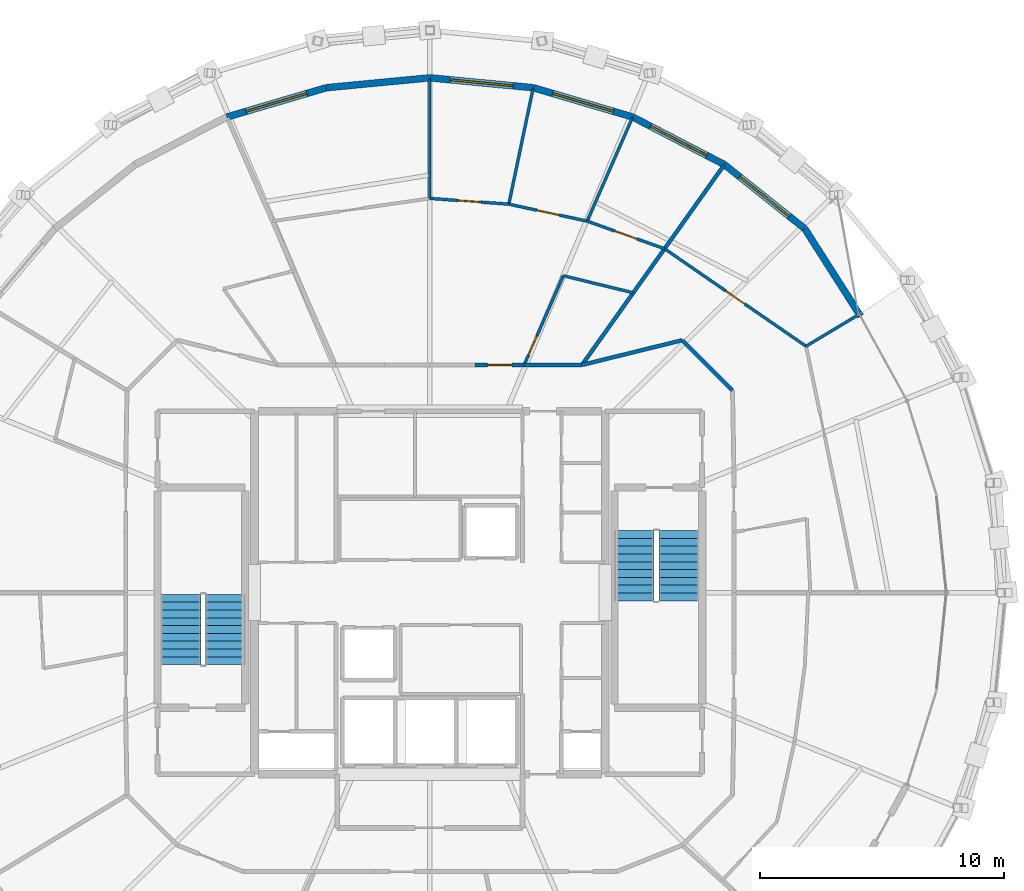
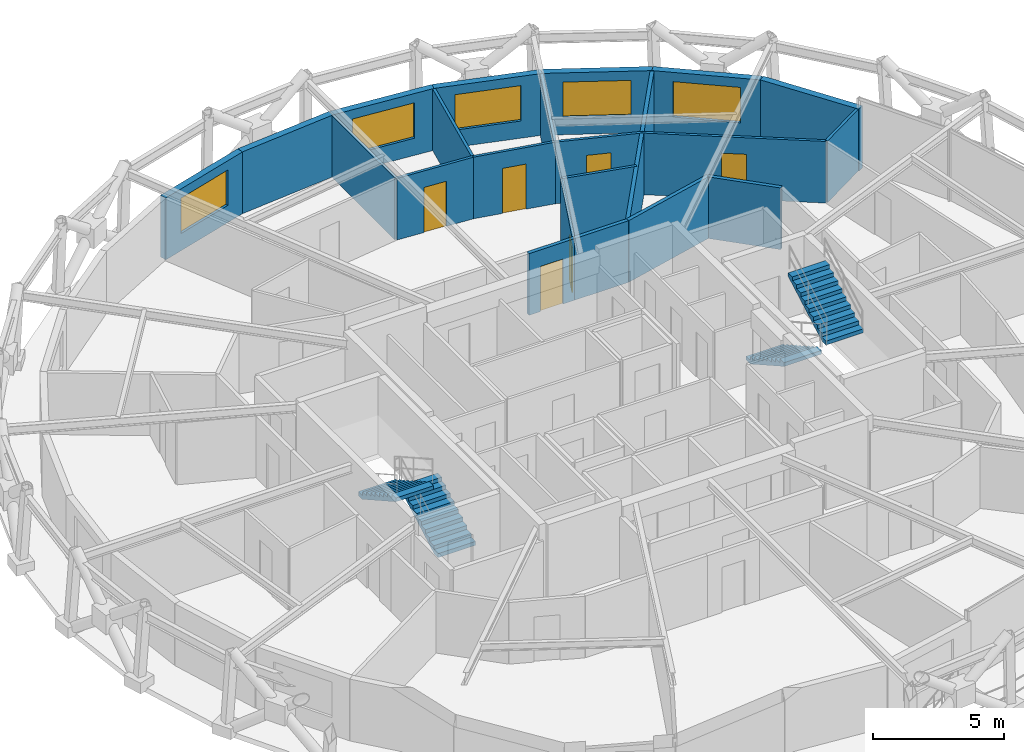
# One storey, part 15 of 16: 22 walls, 6 doors, 5 windows, 4 stair flights, 11 openings, 2 elements without a shape of their own.
"""IFC4 building model written with IfcOpenShell, lengths in metres."""

from ifc_helpers import new_model, si_unit, direction, frame, frame_2d, origin, place, context, subcontext, project, spatial, polyline, rectangle, outline, extrude, material, layer, layer_set, type_object, element, fill, aggregate, save


model = new_model("IFC4")

# Units and contexts
model_context = context("Model", 3, precision=1e-05, world=origin(), true_north=direction((0.0, 1.0)))
body_context = subcontext(model_context, "Body", "Model", "MODEL_VIEW")
ifc_project = project(units=[si_unit("LENGTHUNIT", "METRE"), si_unit("AREAUNIT", "SQUARE_METRE"), si_unit("VOLUMEUNIT", "CUBIC_METRE"), si_unit("PLANEANGLEUNIT", "RADIAN"), si_unit("MASSUNIT", "GRAM", prefix="KILO")], contexts=[model_context])

# Site, building, storey
site_placement = place(None, origin())
site = spatial("IfcSite", under=ifc_project, at=site_placement, CompositionType="ELEMENT")
building_placement = place(site_placement, origin())
building = spatial("IfcBuilding", under=site, at=building_placement, Name="Veldorina Hangang Commons", CompositionType="ELEMENT")
storey_placement = place(building_placement, frame((0.0, 0.0, 240.0)))
storey = spatial("IfcBuildingStorey", under=building, at=storey_placement, Name="L62", CompositionType="ELEMENT", Elevation=240.0)

# Wall
ifc_material_1 = material(Name="Stone Roman Travertine", Category="masonry")
ifc_layer_1 = layer(ifc_material_1, 0.280029296875)
ifc_layer_set_1 = layer_set([ifc_layer_1], Name="Stone Roman Travertine")
wall_type_1 = type_object("IfcWallType", Name="EW-TRAV-280", PredefinedType="STANDARD", material=ifc_layer_set_1)
wall_1_placement = place(storey_placement, frame((49.68115234375, 35.3525390625, 0.0), z_axis=(0.0, 0.0, 1.0), x_axis=(-0.537776362765, 0.843087530243, 0.0)))
element("IfcWall", 1, at=wall_1_placement, inside=storey, type_object=wall_type_1, Name="L62 travertine facade wall 03", PredefinedType="STANDARD", context=body_context, shape_type="SweptSolid", body=[
    extrude(rectangle(XDim=4.259765625, YDim=0.280029296875, at=frame_2d((2.1298828125, 0.0))), origin(), (0.0, 0.0, 1.0), 2.8798828125),
])

# Wall, opening, window
wall_2_placement = place(storey_placement, frame((47.390380859375, 38.94384765625, 0.0), z_axis=(0.0, 0.0, 1.0), x_axis=(-0.782030895384, 0.623239663906, 0.0)))
wall_2 = element("IfcWall", 2, at=wall_2_placement, inside=storey, type_object=wall_type_1, Name="L62 travertine facade wall 04", PredefinedType="STANDARD", context=body_context, shape_type="SweptSolid", body=[
    extrude(rectangle(XDim=4.21728515625, YDim=0.280029296875, at=frame_2d((2.108642578125, 0.0))), origin(), (0.0, 0.0, 1.0), 2.8798828125),
])
opening_1_placement = place(wall_2_placement, frame((0.80859375, 0.0, 0.800048828125)))
opening_1 = element("IfcOpeningElement", 3, at=opening_1_placement, cuts=wall_2, Name="Opening W-02", PredefinedType="OPENING", context=body_context, shape_type="SweptSolid", body=[
    extrude(rectangle(XDim=2.60009765625, YDim=1.64990234375, at=frame_2d((1.300048828125, 0.824951171875))), frame((0.0, 0.14990234375, 0.0), z_axis=(0.0, -1.0, 0.0), x_axis=(1.0, 0.0, 0.0)), (0.0, 0.0, 1.0), 0.300048828125),
])
ifc_material_2 = material(Name="Glass Low-E Triple IGU", Category="glass")
window_type = type_object("IfcWindowType", Name="WIN-TWR-2600", PartitioningType="SINGLE_PANEL", PredefinedType="WINDOW", material=ifc_material_2)
window_1_placement = place(opening_1_placement, origin())
window_1 = element("IfcWindow", 4, at=window_1_placement, inside=storey, type_object=window_type, Name="L62 facade window 04", OverallHeight=1.64990234375, OverallWidth=2.60009765625, PartitioningType="SINGLE_PANEL", PredefinedType="WINDOW", context=body_context, shape_type="SweptSolid", body=[
    extrude(rectangle(XDim=2.60009765625, YDim=1.64990234375, at=frame_2d((1.300048828125, 0.824951171875))), frame((0.0, 0.030029296875, 0.0), z_axis=(0.0, -1.0, 0.0), x_axis=(1.0, 0.0, 0.0)), (0.0, 0.0, 1.0), 0.06005859375),
])
fill(opening_1, window_1)

wall_3_placement = place(storey_placement, frame((44.09228515625, 41.572265625, 0.0), z_axis=(0.0, 0.0, 1.0), x_axis=(-0.887588000353, 0.460638189504, 0.0)))
wall_3 = element("IfcWall", 5, at=wall_3_placement, inside=storey, type_object=wall_type_1, Name="L62 travertine facade wall 05", PredefinedType="STANDARD", context=body_context, shape_type="SweptSolid", body=[
    extrude(rectangle(XDim=4.239501953125, YDim=0.280029296875, at=frame_2d((2.11962890625, 0.0))), origin(), (0.0, 0.0, 1.0), 2.8798828125),
])
opening_2_placement = place(wall_3_placement, frame((0.81982421875, 0.0, 0.800048828125)))
opening_2 = element("IfcOpeningElement", 6, at=opening_2_placement, cuts=wall_3, Name="Opening W-02", PredefinedType="OPENING", context=body_context, shape_type="SweptSolid", body=[
    extrude(rectangle(XDim=2.60009765625, YDim=1.64990234375, at=frame_2d((1.300048828125, 0.824951171875))), frame((0.0, 0.14990234375, 0.0), z_axis=(0.0, -1.0, 0.0), x_axis=(1.0, 0.0, 0.0)), (0.0, 0.0, 1.0), 0.300048828125),
])
window_2_placement = place(opening_2_placement, origin())
window_2 = element("IfcWindow", 7, at=window_2_placement, inside=storey, type_object=window_type, Name="L62 facade window 05", OverallHeight=1.64990234375, OverallWidth=2.60009765625, PartitioningType="SINGLE_PANEL", PredefinedType="WINDOW", context=body_context, shape_type="SweptSolid", body=[
    extrude(rectangle(XDim=2.60009765625, YDim=1.64990234375, at=frame_2d((1.300048828125, 0.824951171875))), frame((0.0, 0.030029296875, 0.0), z_axis=(0.0, -1.0, 0.0), x_axis=(1.0, 0.0, 0.0)), (0.0, 0.0, 1.0), 0.06005859375),
])
fill(opening_2, window_2)

wall_4_placement = place(storey_placement, frame((40.329345703125, 43.525146484375, 0.0), z_axis=(0.0, 0.0, 1.0), x_axis=(-0.95925857755, 0.28252961154, 0.0)))
wall_4 = element("IfcWall", 8, at=wall_4_placement, inside=storey, type_object=wall_type_1, Name="L62 travertine facade wall 06", PredefinedType="STANDARD", context=body_context, shape_type="SweptSolid", body=[
    extrude(rectangle(XDim=4.256591796875, YDim=0.280029296875, at=frame_2d((2.12841796875, 0.0))), origin(), (0.0, 0.0, 1.0), 2.8798828125),
])
opening_3_placement = place(wall_4_placement, frame((0.828369140625, 0.0, 0.800048828125)))
opening_3 = element("IfcOpeningElement", 9, at=opening_3_placement, cuts=wall_4, Name="Opening W-02", PredefinedType="OPENING", context=body_context, shape_type="SweptSolid", body=[
    extrude(rectangle(XDim=2.60009765625, YDim=1.64990234375, at=frame_2d((1.300048828125, 0.824951171875))), frame((0.0, 0.14990234375, 0.0), z_axis=(0.0, -1.0, 0.0), x_axis=(1.0, 0.0, 0.0)), (0.0, 0.0, 1.0), 0.300048828125),
])
window_3_placement = place(opening_3_placement, origin())
window_3 = element("IfcWindow", 10, at=window_3_placement, inside=storey, type_object=window_type, Name="L62 facade window 06", OverallHeight=1.64990234375, OverallWidth=2.60009765625, PartitioningType="SINGLE_PANEL", PredefinedType="WINDOW", context=body_context, shape_type="SweptSolid", body=[
    extrude(rectangle(XDim=2.60009765625, YDim=1.64990234375, at=frame_2d((1.300048828125, 0.824951171875))), frame((0.0, 0.030029296875, 0.0), z_axis=(0.0, -1.0, 0.0), x_axis=(1.0, 0.0, 0.0)), (0.0, 0.0, 1.0), 0.06005859375),
])
fill(opening_3, window_3)

wall_5_placement = place(storey_placement, frame((36.24609375, 44.727783203125, 0.0), z_axis=(0.0, 0.0, 1.0), x_axis=(-0.995459644973, 0.09518453252, 0.0)))
wall_5 = element("IfcWall", 11, at=wall_5_placement, inside=storey, type_object=wall_type_1, Name="L62 travertine facade wall 07", PredefinedType="STANDARD", context=body_context, shape_type="SweptSolid", body=[
    extrude(rectangle(XDim=4.265380859375, YDim=0.280029296875, at=frame_2d((2.1328125, 0.0))), origin(), (0.0, 0.0, 1.0), 2.8798828125),
])
opening_4_placement = place(wall_5_placement, frame((0.832763671875, 0.0, 0.800048828125)))
opening_4 = element("IfcOpeningElement", 12, at=opening_4_placement, cuts=wall_5, Name="Opening W-02", PredefinedType="OPENING", context=body_context, shape_type="SweptSolid", body=[
    extrude(rectangle(XDim=2.60009765625, YDim=1.64990234375, at=frame_2d((1.300048828125, 0.824951171875))), frame((0.0, 0.14990234375, 0.0), z_axis=(0.0, -1.0, 0.0), x_axis=(1.0, 0.0, 0.0)), (0.0, 0.0, 1.0), 0.300048828125),
])
window_4_placement = place(opening_4_placement, origin())
window_4 = element("IfcWindow", 13, at=window_4_placement, inside=storey, type_object=window_type, Name="L62 facade window 07", OverallHeight=1.64990234375, OverallWidth=2.60009765625, PartitioningType="SINGLE_PANEL", PredefinedType="WINDOW", context=body_context, shape_type="SweptSolid", body=[
    extrude(rectangle(XDim=2.60009765625, YDim=1.64990234375, at=frame_2d((1.300048828125, 0.824951171875))), frame((0.0, 0.030029296875, 0.0), z_axis=(0.0, -1.0, 0.0), x_axis=(1.0, 0.0, 0.0)), (0.0, 0.0, 1.0), 0.06005859375),
])
fill(opening_4, window_4)

# Wall
wall_6_placement = place(storey_placement, frame((32.0, 45.1337890625, 0.0), z_axis=(0.0, 0.0, 1.0), x_axis=(-0.995459644973, -0.09518453252, 0.0)))
element("IfcWall", 14, at=wall_6_placement, inside=storey, type_object=wall_type_1, Name="L62 travertine facade wall 08", PredefinedType="STANDARD", context=body_context, shape_type="SweptSolid", body=[
    extrude(rectangle(XDim=4.265380859375, YDim=0.280029296875, at=frame_2d((2.1328125, 0.0))), origin(), (0.0, 0.0, 1.0), 2.8798828125),
])

# Wall, opening, window
wall_7_placement = place(storey_placement, frame((27.75390625, 44.727783203125, 0.0), z_axis=(0.0, 0.0, 1.0), x_axis=(-0.95925857755, -0.28252961154, 0.0)))
wall_7 = element("IfcWall", 15, at=wall_7_placement, inside=storey, type_object=wall_type_1, Name="L62 travertine facade wall 09", PredefinedType="STANDARD", context=body_context, shape_type="SweptSolid", body=[
    extrude(rectangle(XDim=4.256591796875, YDim=0.280029296875, at=frame_2d((2.12841796875, 0.0))), origin(), (0.0, 0.0, 1.0), 2.8798828125),
])
opening_5_placement = place(wall_7_placement, frame((0.828369140625, 0.0, 0.800048828125)))
opening_5 = element("IfcOpeningElement", 16, at=opening_5_placement, cuts=wall_7, Name="Opening W-02", PredefinedType="OPENING", context=body_context, shape_type="SweptSolid", body=[
    extrude(rectangle(XDim=2.60009765625, YDim=1.64990234375, at=frame_2d((1.300048828125, 0.824951171875))), frame((0.0, 0.14990234375, 0.0), z_axis=(0.0, -1.0, 0.0), x_axis=(1.0, 0.0, 0.0)), (0.0, 0.0, 1.0), 0.300048828125),
])
window_5_placement = place(opening_5_placement, origin())
window_5 = element("IfcWindow", 17, at=window_5_placement, inside=storey, type_object=window_type, Name="L62 facade window 09", OverallHeight=1.64990234375, OverallWidth=2.60009765625, PartitioningType="SINGLE_PANEL", PredefinedType="WINDOW", context=body_context, shape_type="SweptSolid", body=[
    extrude(rectangle(XDim=2.60009765625, YDim=1.64990234375, at=frame_2d((1.300048828125, 0.824951171875))), frame((0.0, 0.030029296875, 0.0), z_axis=(0.0, -1.0, 0.0), x_axis=(1.0, 0.0, 0.0)), (0.0, 0.0, 1.0), 0.06005859375),
])
fill(opening_5, window_5)

# Walls
ifc_material_3 = material(Name="Gypsum Fire-Rated Twin Stud Wall", Category="gypsum")
ifc_layer_2 = layer(ifc_material_3, 0.159912109375)
ifc_layer_set_2 = layer_set([ifc_layer_2], Name="Gypsum Fire-Rated Twin Stud Wall")
wall_type_2 = type_object("IfcWallType", Name="WL-FIRE-160", PredefinedType="SOLIDWALL", material=ifc_layer_set_2)
wall_8_placement = place(storey_placement, frame((44.4267578125, 32.30322265625, 0.0), z_axis=(0.0, 0.0, 1.0), x_axis=(-0.707106781187, 0.707106781187, 0.0)))
element("IfcWall", 18, at=wall_8_placement, inside=storey, type_object=wall_type_2, Name="L62 Compact collar outer wall 03 059", PredefinedType="SOLIDWALL", context=body_context, shape_type="SweptSolid", body=[
    extrude(rectangle(XDim=2.915771484375, YDim=0.159912109375, at=frame_2d((1.4580078125, 0.0))), origin(), (0.0, 0.0, 1.0), 2.8701171875),
])
wall_9_placement = place(storey_placement, frame((42.364990234375, 34.364990234375, 0.0), z_axis=(0.0, 0.0, 1.0), x_axis=(-0.970939799552, -0.239323850978, 0.0)))
element("IfcWall", 19, at=wall_9_placement, inside=storey, type_object=wall_type_2, Name="L62 Compact collar outer wall 04 060", PredefinedType="SOLIDWALL", context=body_context, shape_type="SweptSolid", body=[
    extrude(rectangle(XDim=4.24072265625, YDim=0.159912109375, at=frame_2d((2.120361328125, 0.0))), origin(), (0.0, 0.0, 1.0), 2.8701171875),
])
wall_10_placement = place(storey_placement, frame((38.24755859375, 33.35009765625, 0.0), z_axis=(0.0, 0.0, 1.0), x_axis=(-1.0, 0.0, 0.0)))
element("IfcWall", 20, at=wall_10_placement, inside=storey, type_object=wall_type_2, Name="L62 Compact collar outer wall 05 061", PredefinedType="SOLIDWALL", context=body_context, shape_type="SweptSolid", body=[
    extrude(rectangle(XDim=2.374755859375, YDim=0.159912109375, at=frame_2d((1.1875, 0.0))), origin(), (0.0, 0.0, 1.0), 2.8701171875),
])

# Wall, opening, door
wall_11_placement = place(storey_placement, frame((35.872802734375, 33.35009765625, 0.0), z_axis=(0.0, 0.0, 1.0), x_axis=(-1.0, 0.0, 0.0)))
wall_11 = element("IfcWall", 21, at=wall_11_placement, inside=storey, type_object=wall_type_2, Name="L62 Compact collar outer wall 06 062", PredefinedType="SOLIDWALL", context=body_context, shape_type="SweptSolid", body=[
    extrude(rectangle(XDim=2.012939453125, YDim=0.159912109375, at=frame_2d((1.00634765625, 0.0))), origin(), (0.0, 0.0, 1.0), 2.8701171875),
])
opening_6_placement = place(wall_11_placement, frame((0.506591796875, 0.0, 0.0)))
opening_6 = element("IfcOpeningElement", 22, at=opening_6_placement, cuts=wall_11, Name="Opening D-06", PredefinedType="OPENING", context=body_context, shape_type="SweptSolid", body=[
    extrude(rectangle(XDim=1.0, YDim=2.10009765625, at=frame_2d((0.5, 1.050048828125))), frame((0.0, 0.08984375, 0.0), z_axis=(0.0, -1.0, 0.0), x_axis=(1.0, 0.0, 0.0)), (0.0, 0.0, 1.0), 0.179931640625),
])
ifc_material_4 = material(Name="Timber Fire-Rated Entrance Core", Category="wood")
door_type_1 = type_object("IfcDoorType", Name="DR-UNIT-1000", OperationType="SINGLE_SWING_LEFT", PredefinedType="DOOR", material=ifc_material_4)
door_1_placement = place(opening_6_placement, origin())
door_1 = element("IfcDoor", 23, at=door_1_placement, inside=storey, type_object=door_type_1, Name="L62 Cluster 3 entrance door 033", OperationType="SINGLE_SWING_LEFT", OverallHeight=2.10009765625, OverallWidth=1.0, PredefinedType="DOOR", context=body_context, shape_type="SweptSolid", body=[
    extrude(rectangle(XDim=1.0, YDim=2.10009765625, at=frame_2d((0.5, 1.050048828125))), frame((0.0, 0.02490234375, 0.0), z_axis=(0.0, -1.0, 0.0), x_axis=(1.0, 0.0, 0.0)), (0.0, 0.0, 1.0), 0.050048828125),
])
fill(opening_6, door_1)

# Wall
wall_12_placement = place(storey_placement, frame((38.24755859375, 33.35009765625, 0.0), z_axis=(0.0, 0.0, 1.0), x_axis=(0.579377676694, 0.815059205058, 0.0)))
element("IfcWall", 24, at=wall_12_placement, inside=storey, type_object=wall_type_2, Name="L62 Unit party wall 05 099", PredefinedType="SOLIDWALL", context=body_context, shape_type="SweptSolid", body=[
    extrude(rectangle(XDim=10.037841796875, YDim=0.159912109375, at=frame_2d((5.01904296875, 0.0))), origin(), (0.0, 0.0, 1.0), 2.8701171875),
])

# Wall, opening, door
ifc_material_5 = material(Name="Gypsum Acoustic Stud Partition", Category="gypsum")
ifc_layer_3 = layer(ifc_material_5, 0.1201171875)
ifc_layer_set_3 = layer_set([ifc_layer_3], Name="Gypsum Acoustic Stud Partition")
wall_type_3 = type_object("IfcWallType", Name="WL-PART-120", PredefinedType="PARTITIONING", material=ifc_layer_set_3)
wall_13_placement = place(storey_placement, frame((47.445556640625, 34.116943359375, 0.0), z_axis=(0.0, 0.0, 1.0), x_axis=(-0.823453694919, 0.567383479072, 0.0)))
wall_13 = element("IfcWall", 25, at=wall_13_placement, inside=storey, type_object=wall_type_3, Name="L62 Cluster 2 bed 2 front wall 097", PredefinedType="PARTITIONING", context=body_context, shape_type="SweptSolid", body=[
    extrude(rectangle(XDim=7.053466796875, YDim=0.1201171875, at=frame_2d((3.52685546875, 0.0))), origin(), (0.0, 0.0, 1.0), 2.8701171875),
])
opening_7_placement = place(wall_13_placement, frame((3.0517578125, 0.0, 0.0)))
opening_7 = element("IfcOpeningElement", 26, at=opening_7_placement, cuts=wall_13, Name="Opening D-02", PredefinedType="OPENING", context=body_context, shape_type="SweptSolid", body=[
    extrude(rectangle(XDim=0.949951171875, YDim=2.10009765625, at=frame_2d((0.47509765625, 1.050048828125))), frame((0.0, 0.070068359375, 0.0), z_axis=(0.0, -1.0, 0.0), x_axis=(1.0, 0.0, 0.0)), (0.0, 0.0, 1.0), 0.14013671875),
])
ifc_material_6 = material(Name="Timber Solid Core Acoustic", Category="wood")
door_type_2 = type_object("IfcDoorType", Name="DR-INT-950", OperationType="SINGLE_SWING_LEFT", PredefinedType="DOOR", material=ifc_material_6)
door_2_placement = place(opening_7_placement, origin())
door_2 = element("IfcDoor", 27, at=door_2_placement, inside=storey, type_object=door_type_2, Name="L62 Cluster 2 bed 2 door 031", OperationType="SINGLE_SWING_LEFT", OverallHeight=2.10009765625, OverallWidth=0.949951171875, PredefinedType="DOOR", context=body_context, shape_type="SweptSolid", body=[
    extrude(rectangle(XDim=0.949951171875, YDim=2.10009765625, at=frame_2d((0.47509765625, 1.050048828125))), frame((0.0, 0.02490234375, 0.0), z_axis=(0.0, -1.0, 0.0), x_axis=(1.0, 0.0, 0.0)), (0.0, 0.0, 1.0), 0.050048828125),
])
fill(opening_7, door_2)

# Walls
wall_14_placement = place(storey_placement, frame((47.445556640625, 34.116943359375, 0.0), z_axis=(0.0, 0.0, 1.0), x_axis=(0.85718258358, 0.515012639075, 0.0)))
element("IfcWall", 28, at=wall_14_placement, inside=storey, type_object=wall_type_3, Name="L62 Cluster 2 bed divider 1 098", PredefinedType="PARTITIONING", context=body_context, shape_type="SweptSolid", body=[
    extrude(rectangle(XDim=2.500244140625, YDim=0.1201171875, at=frame_2d((1.25, 0.0))), origin(), (0.0, 0.0, 1.0), 2.8701171875),
])
wall_15_placement = place(storey_placement, frame((40.3515625, 36.31005859375, 0.0), z_axis=(0.0, 0.0, 1.0), x_axis=(-0.971357969052, 0.237620908084, 0.0)))
element("IfcWall", 29, at=wall_15_placement, inside=storey, type_object=wall_type_3, Name="L62 Cluster 3 bath front wall 100", PredefinedType="PARTITIONING", context=body_context, shape_type="SweptSolid", body=[
    extrude(rectangle(XDim=2.958984375, YDim=0.1201171875, at=frame_2d((1.4794921875, 0.0))), origin(), (0.0, 0.0, 1.0), 2.8701171875),
])

# Wall, opening, door
wall_16_placement = place(storey_placement, frame((35.872802734375, 33.35009765625, 0.0), z_axis=(0.0, 0.0, 1.0), x_axis=(0.401215916975, 0.915983508566, 0.0)))
wall_16 = element("IfcWall", 30, at=wall_16_placement, inside=storey, type_object=wall_type_3, Name="L62 Cluster 3 bath side wall 101", PredefinedType="PARTITIONING", context=body_context, shape_type="SweptSolid", body=[
    extrude(rectangle(XDim=3.9990234375, YDim=0.1201171875, at=frame_2d((1.99951171875, 0.0))), origin(), (0.0, 0.0, 1.0), 2.8701171875),
])
opening_8_placement = place(wall_16_placement, frame((0.43994140625, 0.0, 0.0)))
opening_8 = element("IfcOpeningElement", 31, at=opening_8_placement, cuts=wall_16, Name="Opening D-01", PredefinedType="OPENING", context=body_context, shape_type="SweptSolid", body=[
    extrude(rectangle(XDim=0.860107421875, YDim=2.10009765625, at=frame_2d((0.43017578125, 1.050048828125))), frame((0.0, 0.070068359375, 0.0), z_axis=(0.0, -1.0, 0.0), x_axis=(1.0, 0.0, 0.0)), (0.0, 0.0, 1.0), 0.14013671875),
])
ifc_material_7 = material(Name="Timber Moisture-Resistant Core", Category="wood")
door_type_3 = type_object("IfcDoorType", Name="DR-WET-860", OperationType="SINGLE_SWING_LEFT", PredefinedType="DOOR", material=ifc_material_7)
door_3_placement = place(opening_8_placement, origin())
door_3 = element("IfcDoor", 32, at=door_3_placement, inside=storey, type_object=door_type_3, Name="L62 Cluster 3 shared bathroom door 032", OperationType="SINGLE_SWING_RIGHT", OverallHeight=2.10009765625, OverallWidth=0.860107421875, PredefinedType="DOOR", context=body_context, shape_type="SweptSolid", body=[
    extrude(rectangle(XDim=0.860107421875, YDim=2.10009765625, at=frame_2d((0.43017578125, 1.050048828125))), frame((0.0, 0.02490234375, 0.0), z_axis=(0.0, -1.0, 0.0), x_axis=(1.0, 0.0, 0.0)), (0.0, 0.0, 1.0), 0.050048828125),
])
fill(opening_8, door_3)

wall_17_placement = place(storey_placement, frame((41.637451171875, 38.118896484375, 0.0), z_axis=(0.0, 0.0, 1.0), x_axis=(-0.942011593526, 0.335580329671, 0.0)))
wall_17 = element("IfcWall", 33, at=wall_17_placement, inside=storey, type_object=wall_type_3, Name="L62 Cluster 3 bed 1 front wall 102", PredefinedType="PARTITIONING", context=body_context, shape_type="SweptSolid", body=[
    extrude(rectangle(XDim=3.375732421875, YDim=0.1201171875, at=frame_2d((1.68798828125, 0.0))), origin(), (0.0, 0.0, 1.0), 2.8701171875),
])
opening_9_placement = place(wall_17_placement, frame((1.212890625, 0.0, 0.0)))
opening_9 = element("IfcOpeningElement", 34, at=opening_9_placement, cuts=wall_17, Name="Opening D-02", PredefinedType="OPENING", context=body_context, shape_type="SweptSolid", body=[
    extrude(rectangle(XDim=0.949951171875, YDim=2.10009765625, at=frame_2d((0.47509765625, 1.050048828125))), frame((0.0, 0.070068359375, 0.0), z_axis=(0.0, -1.0, 0.0), x_axis=(1.0, 0.0, 0.0)), (0.0, 0.0, 1.0), 0.14013671875),
])
door_4_placement = place(opening_9_placement, origin())
door_4 = element("IfcDoor", 35, at=door_4_placement, inside=storey, type_object=door_type_2, Name="L62 Cluster 3 bed 1 door 034", OperationType="SINGLE_SWING_RIGHT", OverallHeight=2.10009765625, OverallWidth=0.949951171875, PredefinedType="DOOR", context=body_context, shape_type="SweptSolid", body=[
    extrude(rectangle(XDim=0.949951171875, YDim=2.10009765625, at=frame_2d((0.47509765625, 1.050048828125))), frame((0.0, 0.02490234375, 0.0), z_axis=(0.0, -1.0, 0.0), x_axis=(1.0, 0.0, 0.0)), (0.0, 0.0, 1.0), 0.050048828125),
])
fill(opening_9, door_4)

wall_18_placement = place(storey_placement, frame((38.45751953125, 39.251708984375, 0.0), z_axis=(0.0, 0.0, 1.0), x_axis=(-0.977245996874, 0.21210907947, 0.0)))
wall_18 = element("IfcWall", 36, at=wall_18_placement, inside=storey, type_object=wall_type_3, Name="L62 Cluster 3 bed 2 front wall 103", PredefinedType="PARTITIONING", context=body_context, shape_type="SweptSolid", body=[
    extrude(rectangle(XDim=3.288330078125, YDim=0.1201171875, at=frame_2d((1.64404296875, 0.0))), origin(), (0.0, 0.0, 1.0), 2.8701171875),
])
opening_10_placement = place(wall_18_placement, frame((1.169189453125, 0.0, 0.0)))
opening_10 = element("IfcOpeningElement", 37, at=opening_10_placement, cuts=wall_18, Name="Opening D-02", PredefinedType="OPENING", context=body_context, shape_type="SweptSolid", body=[
    extrude(rectangle(XDim=0.949951171875, YDim=2.10009765625, at=frame_2d((0.47509765625, 1.050048828125))), frame((0.0, 0.070068359375, 0.0), z_axis=(0.0, -1.0, 0.0), x_axis=(1.0, 0.0, 0.0)), (0.0, 0.0, 1.0), 0.14013671875),
])
door_5_placement = place(opening_10_placement, origin())
door_5 = element("IfcDoor", 38, at=door_5_placement, inside=storey, type_object=door_type_2, Name="L62 Cluster 3 bed 2 door 035", OperationType="SINGLE_SWING_LEFT", OverallHeight=2.10009765625, OverallWidth=0.949951171875, PredefinedType="DOOR", context=body_context, shape_type="SweptSolid", body=[
    extrude(rectangle(XDim=0.949951171875, YDim=2.10009765625, at=frame_2d((0.47509765625, 1.050048828125))), frame((0.0, 0.02490234375, 0.0), z_axis=(0.0, -1.0, 0.0), x_axis=(1.0, 0.0, 0.0)), (0.0, 0.0, 1.0), 0.050048828125),
])
fill(opening_10, door_5)

# Wall
wall_19_placement = place(storey_placement, frame((38.45751953125, 39.251708984375, 0.0), z_axis=(0.0, 0.0, 1.0), x_axis=(0.401165666386, 0.916005517512, 0.0)))
element("IfcWall", 39, at=wall_19_placement, inside=storey, type_object=wall_type_3, Name="L62 Cluster 3 bed divider 1 104", PredefinedType="PARTITIONING", context=body_context, shape_type="SweptSolid", body=[
    extrude(rectangle(XDim=4.615478515625, YDim=0.1201171875, at=frame_2d((2.3076171875, 0.0))), origin(), (0.0, 0.0, 1.0), 2.8701171875),
])

# Wall, opening, door
wall_20_placement = place(storey_placement, frame((35.243896484375, 39.94921875, 0.0), z_axis=(0.0, 0.0, 1.0), x_axis=(-0.997373019742, 0.072436589452, 0.0)))
wall_20 = element("IfcWall", 40, at=wall_20_placement, inside=storey, type_object=wall_type_3, Name="L62 Cluster 3 bed 3 front wall 105", PredefinedType="PARTITIONING", context=body_context, shape_type="SweptSolid", body=[
    extrude(rectangle(XDim=3.25244140625, YDim=0.1201171875, at=frame_2d((1.626220703125, 0.0))), origin(), (0.0, 0.0, 1.0), 2.8701171875),
])
opening_11_placement = place(wall_20_placement, frame((1.151123046875, 0.0, 0.0)))
opening_11 = element("IfcOpeningElement", 41, at=opening_11_placement, cuts=wall_20, Name="Opening D-02", PredefinedType="OPENING", context=body_context, shape_type="SweptSolid", body=[
    extrude(rectangle(XDim=0.949951171875, YDim=2.10009765625, at=frame_2d((0.47509765625, 1.050048828125))), frame((0.0, 0.070068359375, 0.0), z_axis=(0.0, -1.0, 0.0), x_axis=(1.0, 0.0, 0.0)), (0.0, 0.0, 1.0), 0.14013671875),
])
door_6_placement = place(opening_11_placement, origin())
door_6 = element("IfcDoor", 42, at=door_6_placement, inside=storey, type_object=door_type_2, Name="L62 Cluster 3 bed 3 door 036", OperationType="SINGLE_SWING_RIGHT", OverallHeight=2.10009765625, OverallWidth=0.949951171875, PredefinedType="DOOR", context=body_context, shape_type="SweptSolid", body=[
    extrude(rectangle(XDim=0.949951171875, YDim=2.10009765625, at=frame_2d((0.47509765625, 1.050048828125))), frame((0.0, 0.02490234375, 0.0), z_axis=(0.0, -1.0, 0.0), x_axis=(1.0, 0.0, 0.0)), (0.0, 0.0, 1.0), 0.050048828125),
])
fill(opening_11, door_6)

# Walls
wall_21_placement = place(storey_placement, frame((35.243896484375, 39.94921875, 0.0), z_axis=(0.0, 0.0, 1.0), x_axis=(0.205259333171, 0.978707620358, 0.0)))
element("IfcWall", 43, at=wall_21_placement, inside=storey, type_object=wall_type_3, Name="L62 Cluster 3 bed divider 2 106", PredefinedType="PARTITIONING", context=body_context, shape_type="SweptSolid", body=[
    extrude(rectangle(XDim=4.83251953125, YDim=0.1201171875, at=frame_2d((2.416259765625, 0.0))), origin(), (0.0, 0.0, 1.0), 2.8701171875),
])
wall_22_placement = place(storey_placement, frame((32.0, 40.184814453125, 0.0), z_axis=(0.0, 0.0, 1.0), x_axis=(0.0, 1.0, 0.0)))
element("IfcWall", 44, at=wall_22_placement, inside=storey, type_object=wall_type_3, Name="L62 Cluster 3 bed divider 3 108", PredefinedType="PARTITIONING", context=body_context, shape_type="SweptSolid", body=[
    extrude(rectangle(XDim=4.899169921875, YDim=0.1201171875, at=frame_2d((2.44970703125, 0.0))), origin(), (0.0, 0.0, 1.0), 2.8701171875),
])

# Stair, stair flights
ifc_material_8 = material(Name="Concrete C40/50", Category="concrete")
stair_type = type_object("IfcStairType", Name="STR-DOG-1650-20R", PredefinedType="HALF_TURN_STAIR", material=ifc_material_8)
stair_1_placement = place(storey_placement, origin())
stair_1 = element("IfcStair", 45, at=stair_1_placement, inside=storey, type_object=stair_type, Name="L62 Exit stair ST-1", PredefinedType="HALF_TURN_STAIR")
stair_flight_type = type_object("IfcStairFlightType", Name="SFL-STR-1650-20R", PredefinedType="STRAIGHT", material=ifc_material_8)
stair_flight_1_placement = place(storey_placement, frame((23.625, 21.050048828125, 0.0), z_axis=(0.0, 0.0, 1.0), x_axis=(0.0, 1.0, 0.0)))
stair_flight_1 = element("IfcStairFlight", 46, at=stair_flight_1_placement, type_object=stair_flight_type, Name="ST-1 flight 1", NumberOfRisers=10, NumberOfTreads=9, PredefinedType="STRAIGHT", RiserHeight=0.18, TreadLength=0.32, context=body_context, shape_type="SweptSolid", body=[
    extrude(outline(polyline([(0.0, 0.0), (0.0, 0.179931640625), (0.320068359375, 0.179931640625), (0.320068359375, 0.360107421875), (0.639892578125, 0.360107421875), (0.639892578125, 0.5400390625), (0.9599609375, 0.5400390625), (0.9599609375, 0.719970703125), (1.280029296875, 0.719970703125), (1.280029296875, 0.89990234375), (1.60009765625, 0.89990234375), (1.60009765625, 1.080078125), (1.919921875, 1.080078125), (1.919921875, 1.260009765625), (2.239990234375, 1.260009765625), (2.239990234375, 1.43994140625), (2.56005859375, 1.43994140625), (2.56005859375, 1.6201171875), (2.8798828125, 1.6201171875), (2.8798828125, 1.800048828125), (2.8798828125, 1.447998046875), (0.3056640625, 0.0), (0.0, 0.0)])), frame((0.0, 0.824951171875, 0.0), z_axis=(0.0, -1.0, 0.0), x_axis=(1.0, 0.0, 0.0)), (0.0, 0.0, 1.0), 1.64990234375),
])
stair_flight_2_placement = place(storey_placement, frame((21.77490234375, 23.929931640625, 1.800048828125), z_axis=(0.0, 0.0, 1.0), x_axis=(0.0, -1.0, 0.0)))
stair_flight_2 = element("IfcStairFlight", 47, at=stair_flight_2_placement, type_object=stair_flight_type, Name="ST-1 flight 2", NumberOfRisers=10, NumberOfTreads=9, PredefinedType="STRAIGHT", RiserHeight=0.18, TreadLength=0.32, context=body_context, shape_type="SweptSolid", body=[
    extrude(outline(polyline([(0.0, 0.0), (0.0, 0.179931640625), (0.320068359375, 0.179931640625), (0.320068359375, 0.360107421875), (0.639892578125, 0.360107421875), (0.639892578125, 0.5400390625), (0.9599609375, 0.5400390625), (0.9599609375, 0.719970703125), (1.280029296875, 0.719970703125), (1.280029296875, 0.89990234375), (1.60009765625, 0.89990234375), (1.60009765625, 1.080078125), (1.919921875, 1.080078125), (1.919921875, 1.260009765625), (2.239990234375, 1.260009765625), (2.239990234375, 1.43994140625), (2.56005859375, 1.43994140625), (2.56005859375, 1.6201171875), (2.8798828125, 1.6201171875), (2.8798828125, 1.800048828125), (2.8798828125, 1.447998046875), (0.3056640625, 0.0), (0.0, 0.0)])), frame((0.0, 0.824951171875, 0.0), z_axis=(0.0, -1.0, 0.0), x_axis=(1.0, 0.0, 0.0)), (0.0, 0.0, 1.0), 1.64990234375),
])
aggregate(stair_1, [stair_flight_1, stair_flight_2])

stair_2_placement = place(storey_placement, origin())
stair_2 = element("IfcStair", 48, at=stair_2_placement, inside=storey, type_object=stair_type, Name="L62 Exit stair ST-2", PredefinedType="HALF_TURN_STAIR")
stair_flight_3_placement = place(storey_placement, frame((40.375, 26.550048828125, 0.0), z_axis=(0.0, 0.0, 1.0), x_axis=(0.0, -1.0, 0.0)))
stair_flight_3 = element("IfcStairFlight", 49, at=stair_flight_3_placement, type_object=stair_flight_type, Name="ST-2 flight 1", NumberOfRisers=10, NumberOfTreads=9, PredefinedType="STRAIGHT", RiserHeight=0.18, TreadLength=0.32, context=body_context, shape_type="SweptSolid", body=[
    extrude(outline(polyline([(0.0, 0.0), (0.0, 0.179931640625), (0.320068359375, 0.179931640625), (0.320068359375, 0.360107421875), (0.639892578125, 0.360107421875), (0.639892578125, 0.5400390625), (0.9599609375, 0.5400390625), (0.9599609375, 0.719970703125), (1.280029296875, 0.719970703125), (1.280029296875, 0.89990234375), (1.60009765625, 0.89990234375), (1.60009765625, 1.080078125), (1.919921875, 1.080078125), (1.919921875, 1.260009765625), (2.239990234375, 1.260009765625), (2.239990234375, 1.43994140625), (2.56005859375, 1.43994140625), (2.56005859375, 1.6201171875), (2.8798828125, 1.6201171875), (2.8798828125, 1.800048828125), (2.8798828125, 1.447998046875), (0.3056640625, 0.0), (0.0, 0.0)])), frame((0.0, 0.824951171875, 0.0), z_axis=(0.0, -1.0, 0.0), x_axis=(1.0, 0.0, 0.0)), (0.0, 0.0, 1.0), 1.64990234375),
])
stair_flight_4_placement = place(storey_placement, frame((42.22509765625, 23.669921875, 1.800048828125), z_axis=(0.0, 0.0, 1.0), x_axis=(0.0, 1.0, 0.0)))
stair_flight_4 = element("IfcStairFlight", 50, at=stair_flight_4_placement, type_object=stair_flight_type, Name="ST-2 flight 2", NumberOfRisers=10, NumberOfTreads=9, PredefinedType="STRAIGHT", RiserHeight=0.18, TreadLength=0.32, context=body_context, shape_type="SweptSolid", body=[
    extrude(outline(polyline([(0.0, 0.0), (0.0, 0.179931640625), (0.320068359375, 0.179931640625), (0.320068359375, 0.360107421875), (0.639892578125, 0.360107421875), (0.639892578125, 0.5400390625), (0.9599609375, 0.5400390625), (0.9599609375, 0.719970703125), (1.280029296875, 0.719970703125), (1.280029296875, 0.89990234375), (1.60009765625, 0.89990234375), (1.60009765625, 1.080078125), (1.919921875, 1.080078125), (1.919921875, 1.260009765625), (2.239990234375, 1.260009765625), (2.239990234375, 1.43994140625), (2.56005859375, 1.43994140625), (2.56005859375, 1.6201171875), (2.8798828125, 1.6201171875), (2.8798828125, 1.800048828125), (2.8798828125, 1.447998046875), (0.3056640625, 0.0), (0.0, 0.0)])), frame((0.0, 0.824951171875, 0.0), z_axis=(0.0, -1.0, 0.0), x_axis=(1.0, 0.0, 0.0)), (0.0, 0.0, 1.0), 1.64990234375),
])
aggregate(stair_2, [stair_flight_3, stair_flight_4])

save(model, "model.ifc")
